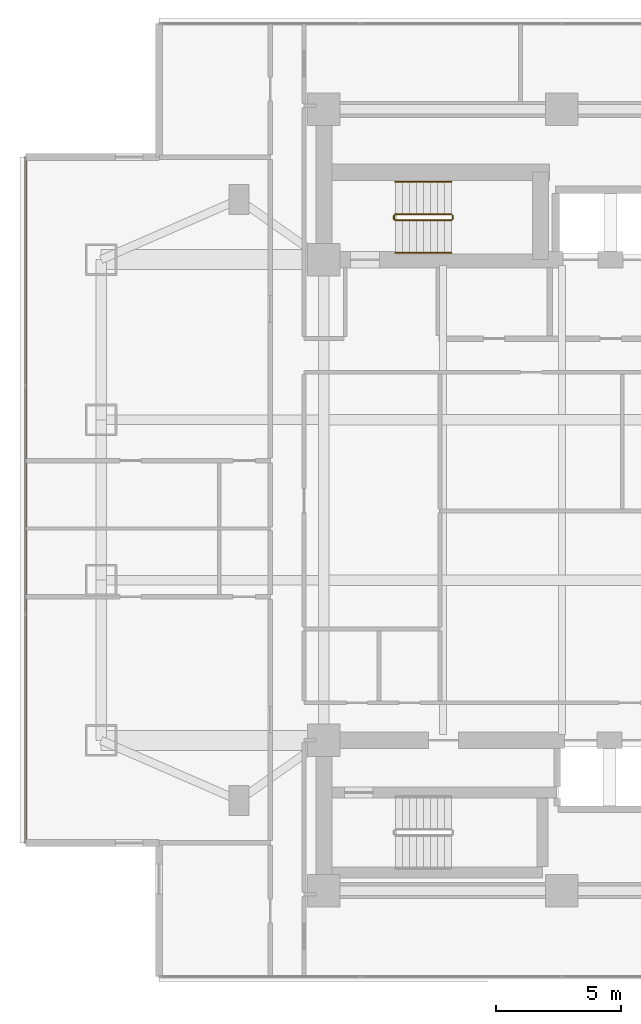
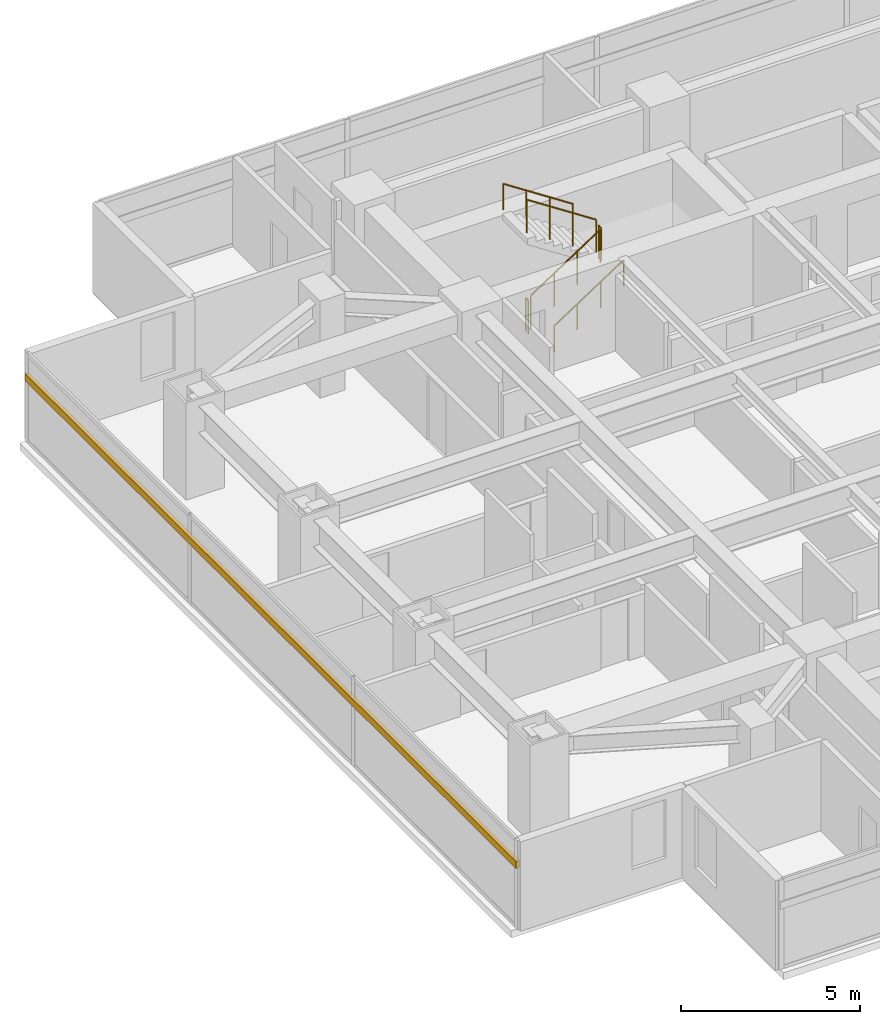
# One storey, part 20 of 24: 6 railings, 1 shading device.
"""IFC4 building model written with IfcOpenShell, lengths in metres."""

import ifcopenshell
import ifcopenshell.guid

model = None  # the IFC model being written
_history = None  # IfcOwnerHistory: only IFC2X3 demands one
_inside = {}  # id of a spatial element -> (the spatial element, [elements in it])
_under = {}  # id of a project, library or spatial element -> (it, [spatial elements below it])
_declared = {}  # id of a project -> (the project, [libraries it declares])
_typed = {}  # id of a type object -> (the type object, [elements of that type])
_made_of = {}  # id of a material, layer set ... -> (it, [elements and type objects made of it])


def new_model(schema):
    """Start an empty IFC model of exactly this schema.

    Asked for "IFC4X3", IfcOpenShell would pick the latest addendum, in which some entities
    have other attributes; the version numbers below select the first issue.
    IFC2X3 requires an IfcOwnerHistory on every rooted entity: one is made here for all.
    """
    global model, _history
    if schema == "IFC4X3":
        model = ifcopenshell.file(schema_version=(4, 3, 0, 0))
    else:
        model = ifcopenshell.file(schema=schema)
    _inside.clear()
    _under.clear()
    _declared.clear()
    _typed.clear()
    _made_of.clear()
    _history = None
    if model.schema == "IFC2X3":
        org = make("IfcOrganization", Name="unknown")
        user = make(
            "IfcPersonAndOrganization",
            ThePerson=make("IfcPerson", FamilyName="unknown"),
            TheOrganization=org,
        )
        app = make(
            "IfcApplication",
            ApplicationDeveloper=org,
            Version="unknown",
            ApplicationFullName="unknown",
            ApplicationIdentifier="unknown",
        )
        _history = make(
            "IfcOwnerHistory",
            OwningUser=user,
            OwningApplication=app,
            ChangeAction="ADDED",
            CreationDate=0,
        )
    return model


def make(cls, **values):
    """One entity of the class cls with the attributes given. An attribute that is None is left unset."""
    return model.create_entity(
        cls, **{name: value for name, value in values.items() if value is not None}
    )


def rooted(cls, **values):
    """An entity with a GlobalId (a new one), such as an element, a storey or a relation."""
    return make(cls, GlobalId=ifcopenshell.guid.new(), OwnerHistory=_history, **values)


def si_unit(unit_type, name, prefix=None):
    """IfcSIUnit, for example si_unit("LENGTHUNIT", "METRE", prefix="MILLI")."""
    return make("IfcSIUnit", UnitType=unit_type, Prefix=prefix, Name=name)


def assignment(units):
    """IfcUnitAssignment: the units of a project."""
    return None if units is None else make("IfcUnitAssignment", Units=units)


def point(xyz):
    """IfcCartesianPoint."""
    return None if xyz is None else make("IfcCartesianPoint", Coordinates=xyz)


def direction(xyz):
    """IfcDirection."""
    return None if xyz is None else make("IfcDirection", DirectionRatios=xyz)


def frame(location, z_axis=None, x_axis=None):
    """IfcAxis2Placement3D, a coordinate frame: its origin and axes. An axis left out is left unset."""
    return make(
        "IfcAxis2Placement3D",
        Location=point(location),
        Axis=direction(z_axis),
        RefDirection=direction(x_axis),
    )


def frame_2d(location, x_axis=None):
    """IfcAxis2Placement2D, a coordinate frame in the plane: its origin and x axis."""
    return make(
        "IfcAxis2Placement2D", Location=point(location), RefDirection=direction(x_axis)
    )


def origin():
    """The frame at (0, 0, 0) with its axes left unset."""
    return frame((0.0, 0.0, 0.0))


def origin_2d():
    """The frame at (0, 0) in the plane with its x axis left unset."""
    return frame_2d((0.0, 0.0))


def place(relative_to, where):
    """IfcLocalPlacement: puts the frame where relative to a parent placement (None: the world)."""
    return make(
        "IfcLocalPlacement", PlacementRelTo=relative_to, RelativePlacement=where
    )


def context(
    kind, dimensions, precision=None, world=None, true_north=None, identifier=None
):
    """IfcGeometricRepresentationContext, for example the 3D "Model" context."""
    return make(
        "IfcGeometricRepresentationContext",
        ContextIdentifier=identifier,
        ContextType=kind,
        CoordinateSpaceDimension=dimensions,
        Precision=precision,
        WorldCoordinateSystem=world,
        TrueNorth=true_north,
    )


def subcontext(parent, identifier, kind, view, scale=None):
    """IfcGeometricRepresentationSubContext, for example "Body" below "Model"."""
    return make(
        "IfcGeometricRepresentationSubContext",
        ContextIdentifier=identifier,
        ContextType=kind,
        ParentContext=parent,
        TargetScale=scale,
        TargetView=view,
    )


def project(units=None, contexts=None):
    """IfcProject with its units and contexts."""
    return rooted(
        "IfcProject",
        Name="project",
        RepresentationContexts=contexts,
        UnitsInContext=assignment(units),
    )


def spatial(cls, under=None, at=None, **own):
    """A site, building, storey or space (cls), placed at a placement, below another one or the project."""
    s = rooted(cls, ObjectPlacement=at, **own)
    if under is not None:
        _under.setdefault(under.id(), (under, []))[1].append(s)
    return s


def profile(cls, at=None, kind="AREA", **sizes):
    """A parametric profile (cls). Its sizes go by their IFC names, for example OverallWidth=200.0."""
    return make(cls, ProfileType=kind, Position=at, **sizes)


def rectangle(**sizes):
    """IfcRectangleProfileDef."""
    return profile("IfcRectangleProfileDef", **sizes)


def circle(**sizes):
    """IfcCircleProfileDef."""
    return profile("IfcCircleProfileDef", **sizes)


def extrude(swept, where, along, depth):
    """IfcExtrudedAreaSolid: the profile swept, set in the frame where, extruded along a direction by depth."""
    return make(
        "IfcExtrudedAreaSolid",
        SweptArea=swept,
        Position=where,
        ExtrudedDirection=direction(along),
        Depth=depth,
    )


def shape(context_of_items, identifier, shape_type, items):
    """IfcShapeRepresentation: the items that make up one representation, for example the "Body"."""
    return make(
        "IfcShapeRepresentation",
        ContextOfItems=context_of_items,
        RepresentationIdentifier=identifier,
        RepresentationType=shape_type,
        Items=items,
    )


def material(Name=None, Category=None):
    """IfcMaterial."""
    return make("IfcMaterial", Name=Name, Category=Category)


def material_profile(
    of_material, cross_section, Name=None, Category=None, Priority=None
):
    """IfcMaterialProfile: a cross section and its material."""
    return make(
        "IfcMaterialProfile",
        Name=Name,
        Material=of_material,
        Profile=cross_section,
        Priority=Priority,
        Category=Category,
    )


def profile_set(profiles, Name=None, composite=None):
    """IfcMaterialProfileSet."""
    return make(
        "IfcMaterialProfileSet",
        Name=Name,
        MaterialProfiles=profiles,
        CompositeProfile=composite,
    )


def made_of(thing, what):
    """Note that an element or type object is made of a material, layer set ...; save() writes the relation."""
    if what is not None:
        _made_of.setdefault(what.id(), (what, []))[1].append(thing)
    return thing


def type_object(cls, material=None, **own):
    """A type object (cls), such as IfcWallType, which elements share."""
    return made_of(rooted(cls, **own), material)


def element(
    cls,
    number,
    at=None,
    inside=None,
    cuts=None,
    type_object=None,
    material=None,
    context=None,
    identifier="Body",
    shape_type=None,
    held_by="IfcProductDefinitionShape",
    body=None,
    shapes=None,
    **own,
):
    """One element of the class cls, such as IfcWall. Its Tag is "e" and its number.

    at: its placement. inside: the storey or other place that contains it. cuts: it is an
    opening in that element (IfcRelVoidsElement). A single representation is given by context,
    identifier, shape_type and body (its items); several are given by shapes. held_by: the class
    of the entity that holds the representations. save() writes the other relations.
    """
    e = rooted(cls, Tag="e%d" % number, ObjectPlacement=at, **own)
    if body is not None:
        shapes = [shape(context, identifier, shape_type, body)]
    if shapes is not None:
        e.Representation = make(held_by, Representations=shapes)
    if inside is not None:
        _inside.setdefault(inside.id(), (inside, []))[1].append(e)
    if cuts is not None:
        rooted(
            "IfcRelVoidsElement", RelatingBuildingElement=cuts, RelatedOpeningElement=e
        )
    if type_object is not None:
        _typed.setdefault(type_object.id(), (type_object, []))[1].append(e)
    return made_of(e, material)


def aggregate(whole, parts):
    """IfcRelAggregates: a whole, such as a stair, and the parts it consists of."""
    return rooted("IfcRelAggregates", RelatingObject=whole, RelatedObjects=parts)


def save(model, path):
    """Write the relations noted so far, then the file.

    IfcRelAggregates (storeys below a building ...), IfcRelContainedInSpatialStructure (elements
    in a storey), IfcRelDefinesByType, IfcRelAssociatesMaterial and IfcRelDeclares: one each for
    every whole, place, type object, material and project.
    """
    for whole, parts in _under.values():
        aggregate(whole, parts)
    for where, things in _inside.values():
        rooted(
            "IfcRelContainedInSpatialStructure",
            RelatedElements=things,
            RelatingStructure=where,
        )
    for kind, things in _typed.values():
        rooted("IfcRelDefinesByType", RelatedObjects=things, RelatingType=kind)
    for what, things in _made_of.values():
        rooted("IfcRelAssociatesMaterial", RelatedObjects=things, RelatingMaterial=what)
    for by, libraries in _declared.values():
        rooted("IfcRelDeclares", RelatingContext=by, RelatedDefinitions=libraries)
    model.write(path)


model = new_model("IFC4")

# Units and contexts
model_context = context("Model", 3, precision=1e-05, world=origin(), true_north=direction((0.0, 1.0)))
body_context = subcontext(model_context, "Body", "Model", "MODEL_VIEW")
ifc_project = project(units=[si_unit("LENGTHUNIT", "METRE"), si_unit("AREAUNIT", "SQUARE_METRE"), si_unit("VOLUMEUNIT", "CUBIC_METRE"), si_unit("PLANEANGLEUNIT", "RADIAN"), si_unit("MASSUNIT", "GRAM", prefix="KILO")], contexts=[model_context])

# Site, building, storey
site_placement = place(None, origin())
site = spatial("IfcSite", under=ifc_project, at=site_placement, CompositionType="ELEMENT")
building_placement = place(site_placement, origin())
building = spatial("IfcBuilding", under=site, at=building_placement, Name="Mirazonda Arch Towers", CompositionType="ELEMENT")
storey_placement = place(building_placement, frame((0.0, 0.0, 62.0)))
storey = spatial("IfcBuildingStorey", under=building, at=storey_placement, Name="L17", CompositionType="ELEMENT", Elevation=62.0)

# Shading device
ifc_material_1 = material(Name="Kiln-Fired Architectural Terracotta", Category="masonry")
ifc_material_profile = material_profile(ifc_material_1, rectangle(XDim=0.1201171875, YDim=0.239990234375, at=origin_2d()), Name="TERRA-BAG-120x240")
ifc_profile_set = profile_set([ifc_material_profile], Name="Kiln-Fired Architectural Terracotta")
shading_device_type = type_object("IfcShadingDeviceType", Name="BAGUETTE-1", PredefinedType="USERDEFINED", material=ifc_profile_set)
shading_device_placement = place(storey_placement, frame((-0.919921875, 41.694091796875, 2.188720703125), z_axis=(0.0, -1.0, 0.0), x_axis=(1.0, 0.0, 0.0)))
element("IfcShadingDevice", 1, at=shading_device_placement, inside=storey, type_object=shading_device_type, Name="L17 Glazed Terracotta Sun-Screen Baguette CW-L17-T1-W", ObjectType="BAGUETTE", PredefinedType="USERDEFINED", context=body_context, shape_type="SweptSolid", body=[
    extrude(rectangle(XDim=0.1201171875, YDim=0.239990234375, at=origin_2d()), origin(), (0.0, 0.0, 1.0), 27.38818359375),
])

# Railings
ifc_material_2 = material(Name="Architectural Brushed Steel S355", Category="steel")
railing_type_1 = type_object("IfcRailingType", Name="GUARD-STAIR-1120", PredefinedType="GUARDRAIL", material=ifc_material_2)
railing_1_placement = place(storey_placement, frame((13.85009765625, 39.169921875, 0.183349609375)))
element("IfcRailing", 2, at=railing_1_placement, inside=storey, type_object=railing_type_1, Name="L17 ST-T1N stair guard 1", PredefinedType="GUARDRAIL", context=body_context, shape_type="SweptSolid", body=[
    extrude(circle(Radius=0.02392578125, at=origin_2d()), frame((0.0, 0.0, 1.1259765625), z_axis=(0.836636935527, 0.0, 0.547757827979), x_axis=(0.0, 1.0, 0.0)), (0.0, 0.0, 1.0), 2.677490234375),
    extrude(circle(Radius=0.02099609375, at=origin_2d()), origin(), (0.0, 0.0, 1.0), 1.101806640625),
    extrude(circle(Radius=0.02099609375, at=origin_2d()), frame((0.74658203125, 0.0, 0.48876953125)), (0.0, 0.0, 1.0), 1.101806640625),
    extrude(circle(Radius=0.02099609375, at=origin_2d()), frame((1.493408203125, 0.0, 0.977783203125)), (0.0, 0.0, 1.0), 1.101806640625),
    extrude(circle(Radius=0.02099609375, at=origin_2d()), frame((2.239990234375, 0.0, 1.466552734375)), (0.0, 0.0, 1.0), 1.101806640625),
])
railing_2_placement = place(storey_placement, frame((16.139892578125, 39.219970703125, 1.64990234375)))
element("IfcRailing", 3, at=railing_2_placement, inside=storey, type_object=railing_type_1, Name="L17 ST-T1N stair guard 2", PredefinedType="GUARDRAIL", context=body_context, shape_type="SweptSolid", body=[
    extrude(circle(Radius=0.02392578125, at=origin_2d()), frame((0.0, 0.0, 1.1259765625), z_axis=(0.0, 1.0, 0.0), x_axis=(-1.0, 0.0, 0.0)), (0.0, 0.0, 1.0), 0.14013671875),
    extrude(circle(Radius=0.02099609375, at=origin_2d()), origin(), (0.0, 0.0, 1.0), 1.101806640625),
    extrude(circle(Radius=0.02099609375, at=origin_2d()), frame((0.0, 0.14013671875, 0.0)), (0.0, 0.0, 1.0), 1.101806640625),
])
railing_3_placement = place(storey_placement, frame((16.090087890625, 39.409912109375, 1.833251953125)))
element("IfcRailing", 4, at=railing_3_placement, inside=storey, type_object=railing_type_1, Name="L17 ST-T1N stair guard 3", PredefinedType="GUARDRAIL", context=body_context, shape_type="SweptSolid", body=[
    extrude(circle(Radius=0.02392578125, at=origin_2d()), frame((0.0, 0.0, 1.1259765625), z_axis=(-0.836595146698, 0.0, 0.547821650285), x_axis=(0.0, -1.0, 0.0)), (0.0, 0.0, 1.0), 2.677490234375),
    extrude(circle(Radius=0.02099609375, at=origin_2d()), origin(), (0.0, 0.0, 1.0), 1.101806640625),
    extrude(circle(Radius=0.02099609375, at=origin_2d()), frame((-0.74658203125, 0.0, 0.489013671875)), (0.0, 0.0, 1.0), 1.101806640625),
    extrude(circle(Radius=0.02099609375, at=origin_2d()), frame((-1.493408203125, 0.0, 0.977783203125)), (0.0, 0.0, 1.0), 1.101806640625),
    extrude(circle(Radius=0.02099609375, at=origin_2d()), frame((-2.239990234375, 0.0, 1.466796875)), (0.0, 0.0, 1.0), 1.101806640625),
])
railing_4_placement = place(storey_placement, frame((13.800048828125, 39.219970703125, 0.0)))
element("IfcRailing", 5, at=railing_4_placement, inside=storey, type_object=railing_type_1, Name="L17 ST-T1N stair guard 4", PredefinedType="GUARDRAIL", context=body_context, shape_type="SweptSolid", body=[
    extrude(circle(Radius=0.02392578125, at=origin_2d()), frame((0.0, 0.0, 1.1259765625), z_axis=(0.0, 1.0, 0.0), x_axis=(-1.0, 0.0, 0.0)), (0.0, 0.0, 1.0), 0.14013671875),
    extrude(circle(Radius=0.02099609375, at=origin_2d()), origin(), (0.0, 0.0, 1.0), 1.101806640625),
    extrude(circle(Radius=0.02099609375, at=origin_2d()), frame((0.0, 0.14013671875, 0.0)), (0.0, 0.0, 1.0), 1.101806640625),
])
railing_type_2 = type_object("IfcRailingType", Name="HANDRAIL-915", PredefinedType="HANDRAIL", material=ifc_material_2)
railing_5_placement = place(storey_placement, frame((13.85009765625, 37.8701171875, 0.183349609375)))
element("IfcRailing", 6, at=railing_5_placement, inside=storey, type_object=railing_type_2, Name="L17 ST-T1N stair handrail 1", PredefinedType="HANDRAIL", context=body_context, shape_type="SweptSolid", body=[
    extrude(circle(Radius=0.02392578125, at=origin_2d()), frame((0.0, 0.0, 0.8759765625), z_axis=(0.836636935527, 0.0, 0.547757827979), x_axis=(0.0, 1.0, 0.0)), (0.0, 0.0, 1.0), 2.677490234375),
    extrude(circle(Radius=0.02099609375, at=origin_2d()), origin(), (0.0, 0.0, 1.0), 0.851806640625),
    extrude(circle(Radius=0.02099609375, at=origin_2d()), frame((0.74658203125, 0.0, 0.48876953125)), (0.0, 0.0, 1.0), 0.851806640625),
    extrude(circle(Radius=0.02099609375, at=origin_2d()), frame((1.493408203125, 0.0, 0.977783203125)), (0.0, 0.0, 1.0), 0.851806640625),
    extrude(circle(Radius=0.02099609375, at=origin_2d()), frame((2.239990234375, 0.0, 1.466552734375)), (0.0, 0.0, 1.0), 0.851806640625),
])
railing_6_placement = place(storey_placement, frame((16.090087890625, 40.7099609375, 1.833251953125)))
element("IfcRailing", 7, at=railing_6_placement, inside=storey, type_object=railing_type_2, Name="L17 ST-T1N stair handrail 2", PredefinedType="HANDRAIL", context=body_context, shape_type="SweptSolid", body=[
    extrude(circle(Radius=0.02392578125, at=origin_2d()), frame((0.0, 0.0, 0.8759765625), z_axis=(-0.836595146698, 0.0, 0.547821650285), x_axis=(0.0, -1.0, 0.0)), (0.0, 0.0, 1.0), 2.677490234375),
    extrude(circle(Radius=0.02099609375, at=origin_2d()), origin(), (0.0, 0.0, 1.0), 0.851806640625),
    extrude(circle(Radius=0.02099609375, at=origin_2d()), frame((-0.74658203125, 0.0, 0.489013671875)), (0.0, 0.0, 1.0), 0.851806640625),
    extrude(circle(Radius=0.02099609375, at=origin_2d()), frame((-1.493408203125, 0.0, 0.977783203125)), (0.0, 0.0, 1.0), 0.851806640625),
    extrude(circle(Radius=0.02099609375, at=origin_2d()), frame((-2.239990234375, 0.0, 1.466796875)), (0.0, 0.0, 1.0), 0.851806640625),
])

save(model, "model.ifc")
